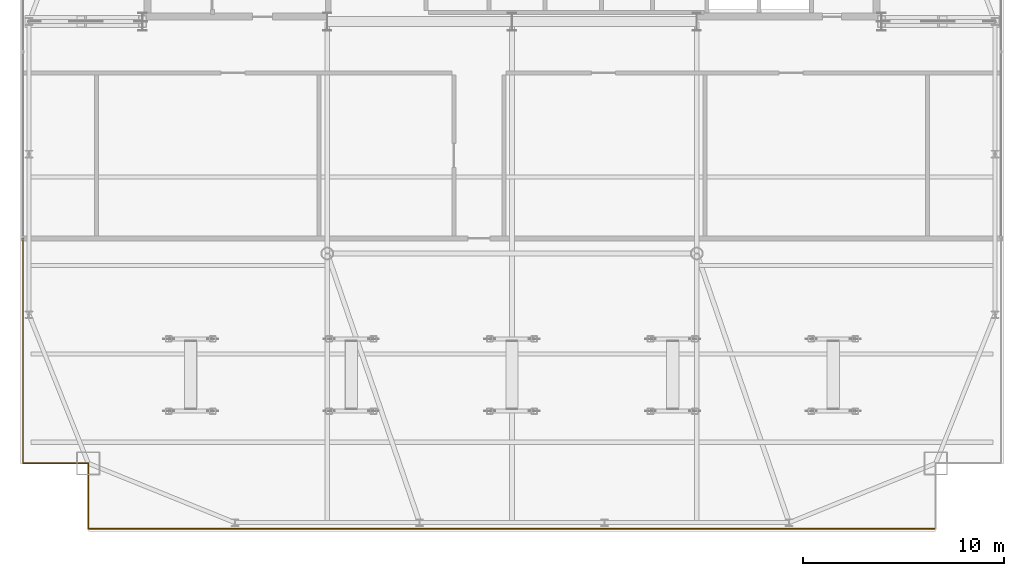
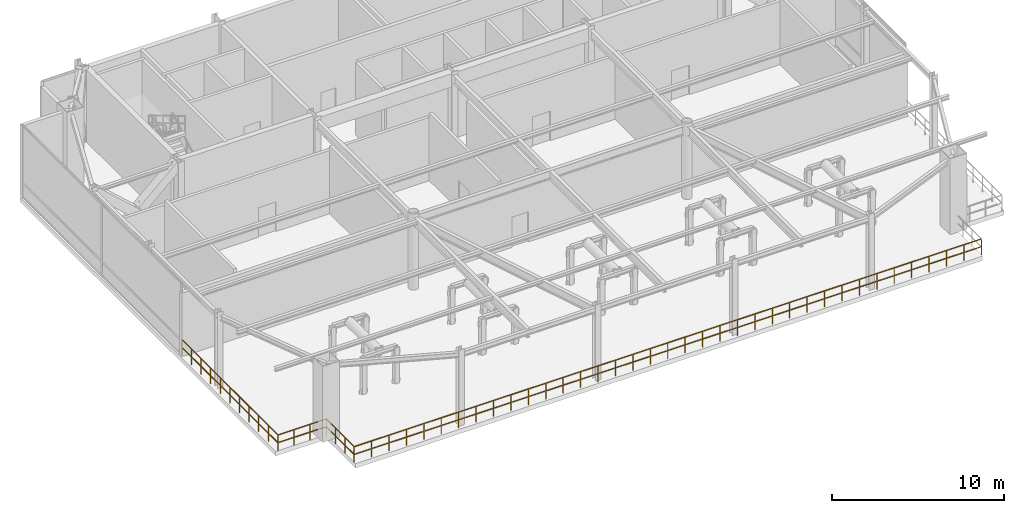
# One storey, part 20 of 21: 4 railings.
"""IFC4 building model written with IfcOpenShell, lengths in metres."""

from ifc_helpers import new_model, si_unit, direction, frame, origin, origin_2d, place, context, subcontext, project, spatial, rectangle, extrude, material, type_object, element, save


model = new_model("IFC4")

# Units and contexts
model_context = context("Model", 3, precision=1e-05, world=origin(), true_north=direction((0.0, 1.0)))
body_context = subcontext(model_context, "Body", "Model", "MODEL_VIEW")
ifc_project = project(units=[si_unit("LENGTHUNIT", "METRE"), si_unit("AREAUNIT", "SQUARE_METRE"), si_unit("VOLUMEUNIT", "CUBIC_METRE"), si_unit("PLANEANGLEUNIT", "RADIAN"), si_unit("MASSUNIT", "GRAM", prefix="KILO")], contexts=[model_context])

# Site, building, storey
site_placement = place(None, origin())
site = spatial("IfcSite", under=ifc_project, at=site_placement, CompositionType="ELEMENT")
building_placement = place(site_placement, origin())
building = spatial("IfcBuilding", under=site, at=building_placement, Name="Varnel Quay Broadcast Tower", CompositionType="ELEMENT")
storey_placement = place(building_placement, frame((0.0, 0.0, 234.0)))
storey = spatial("IfcBuildingStorey", under=building, at=storey_placement, Name="L58", CompositionType="ELEMENT", Elevation=234.0)

# Railings
ifc_material = material(Name="Anodised Bronze Aluminium 6063-T6", Category="aluminium")
railing_type = type_object("IfcRailingType", Name="Rail_Balustrade1150", PredefinedType="BALUSTRADE", material=ifc_material)
railing_1_placement = place(storey_placement, frame((9.64990234375, 24.800048828125, 0.0)))
element("IfcRailing", 1, at=railing_1_placement, inside=storey, type_object=railing_type, Name="L58 Wind-Turbine Slot Safety Guard Seg 1", PredefinedType="BALUSTRADE", context=body_context, shape_type="SweptSolid", body=[
    extrude(rectangle(XDim=0.048095703125, YDim=0.048095703125, at=origin_2d()), frame((0.0, 0.0, 1.1259765625), z_axis=(0.0, -1.0, 0.0), x_axis=(1.0, 0.0, 0.0)), (0.0, 0.0, 1.0), 11.199951171875),
    extrude(rectangle(XDim=0.048095703125, YDim=0.048095703125, at=origin_2d()), frame((0.0, 0.0, 0.574951171875), z_axis=(0.0, -1.0, 0.0), x_axis=(1.0, 0.0, 0.0)), (0.0, 0.0, 1.0), 11.199951171875),
    extrude(rectangle(XDim=0.0419921875, YDim=0.0419921875, at=origin_2d()), origin(), (0.0, 0.0, 1.0), 1.101806640625),
    extrude(rectangle(XDim=0.0419921875, YDim=0.0419921875, at=origin_2d()), frame((0.0, -1.1201171875, 0.0)), (0.0, 0.0, 1.0), 1.101806640625),
    extrude(rectangle(XDim=0.0419921875, YDim=0.0419921875, at=origin_2d()), frame((0.0, -2.239990234375, 0.0)), (0.0, 0.0, 1.0), 1.101806640625),
    extrude(rectangle(XDim=0.0419921875, YDim=0.0419921875, at=origin_2d()), frame((0.0, -3.35986328125, 0.0)), (0.0, 0.0, 1.0), 1.101806640625),
    extrude(rectangle(XDim=0.0419921875, YDim=0.0419921875, at=origin_2d()), frame((0.0, -4.47998046875, 0.0)), (0.0, 0.0, 1.0), 1.101806640625),
    extrude(rectangle(XDim=0.0419921875, YDim=0.0419921875, at=origin_2d()), frame((0.0, -5.60009765625, 0.0)), (0.0, 0.0, 1.0), 1.101806640625),
    extrude(rectangle(XDim=0.0419921875, YDim=0.0419921875, at=origin_2d()), frame((0.0, -6.719970703125, 0.0)), (0.0, 0.0, 1.0), 1.101806640625),
    extrude(rectangle(XDim=0.0419921875, YDim=0.0419921875, at=origin_2d()), frame((0.0, -7.83984375, 0.0)), (0.0, 0.0, 1.0), 1.101806640625),
    extrude(rectangle(XDim=0.0419921875, YDim=0.0419921875, at=origin_2d()), frame((0.0, -8.9599609375, 0.0)), (0.0, 0.0, 1.0), 1.101806640625),
    extrude(rectangle(XDim=0.0419921875, YDim=0.0419921875, at=origin_2d()), frame((0.0, -10.080078125, 0.0)), (0.0, 0.0, 1.0), 1.101806640625),
    extrude(rectangle(XDim=0.0419921875, YDim=0.0419921875, at=origin_2d()), frame((0.0, -11.199951171875, 0.0)), (0.0, 0.0, 1.0), 1.101806640625),
])
railing_2_placement = place(storey_placement, frame((9.64990234375, 13.60009765625, 0.0)))
element("IfcRailing", 2, at=railing_2_placement, inside=storey, type_object=railing_type, Name="L58 Wind-Turbine Slot Safety Guard Seg 2", PredefinedType="BALUSTRADE", context=body_context, shape_type="SweptSolid", body=[
    extrude(rectangle(XDim=0.048095703125, YDim=0.048095703125, at=origin_2d()), frame((0.0, 0.0, 1.1259765625), z_axis=(1.0, 0.0, 0.0), x_axis=(0.0, 1.0, 0.0)), (0.0, 0.0, 1.0), 3.25),
    extrude(rectangle(XDim=0.048095703125, YDim=0.048095703125, at=origin_2d()), frame((0.0, 0.0, 0.574951171875), z_axis=(1.0, 0.0, 0.0), x_axis=(0.0, 1.0, 0.0)), (0.0, 0.0, 1.0), 3.25),
    extrude(rectangle(XDim=0.0419921875, YDim=0.0419921875, at=origin_2d()), origin(), (0.0, 0.0, 1.0), 1.101806640625),
    extrude(rectangle(XDim=0.0419921875, YDim=0.0419921875, at=origin_2d()), frame((1.083251953125, 0.0, 0.0)), (0.0, 0.0, 1.0), 1.101806640625),
    extrude(rectangle(XDim=0.0419921875, YDim=0.0419921875, at=origin_2d()), frame((2.166748046875, 0.0, 0.0)), (0.0, 0.0, 1.0), 1.101806640625),
    extrude(rectangle(XDim=0.0419921875, YDim=0.0419921875, at=origin_2d()), frame((3.25, 0.0, 0.0)), (0.0, 0.0, 1.0), 1.101806640625),
])
railing_3_placement = place(storey_placement, frame((12.89990234375, 13.60009765625, 0.0)))
element("IfcRailing", 3, at=railing_3_placement, inside=storey, type_object=railing_type, Name="L58 Wind-Turbine Slot Safety Guard Seg 3", PredefinedType="BALUSTRADE", context=body_context, shape_type="SweptSolid", body=[
    extrude(rectangle(XDim=0.048095703125, YDim=0.048095703125, at=origin_2d()), frame((0.0, 0.0, 1.1259765625), z_axis=(0.0, -1.0, 0.0), x_axis=(1.0, 0.0, 0.0)), (0.0, 0.0, 1.0), 3.25),
    extrude(rectangle(XDim=0.048095703125, YDim=0.048095703125, at=origin_2d()), frame((0.0, 0.0, 0.574951171875), z_axis=(0.0, -1.0, 0.0), x_axis=(1.0, 0.0, 0.0)), (0.0, 0.0, 1.0), 3.25),
    extrude(rectangle(XDim=0.0419921875, YDim=0.0419921875, at=origin_2d()), origin(), (0.0, 0.0, 1.0), 1.101806640625),
    extrude(rectangle(XDim=0.0419921875, YDim=0.0419921875, at=origin_2d()), frame((0.0, -1.083251953125, 0.0)), (0.0, 0.0, 1.0), 1.101806640625),
    extrude(rectangle(XDim=0.0419921875, YDim=0.0419921875, at=origin_2d()), frame((0.0, -2.166748046875, 0.0)), (0.0, 0.0, 1.0), 1.101806640625),
    extrude(rectangle(XDim=0.0419921875, YDim=0.0419921875, at=origin_2d()), frame((0.0, -3.25, 0.0)), (0.0, 0.0, 1.0), 1.101806640625),
])
railing_4_placement = place(storey_placement, frame((12.89990234375, 10.35009765625, 0.0)))
element("IfcRailing", 4, at=railing_4_placement, inside=storey, type_object=railing_type, Name="L58 Wind-Turbine Slot Safety Guard Seg 4", PredefinedType="BALUSTRADE", context=body_context, shape_type="SweptSolid", body=[
    extrude(rectangle(XDim=0.048095703125, YDim=0.048095703125, at=origin_2d()), frame((0.0, 0.0, 1.1259765625), z_axis=(1.0, 0.0, 0.0), x_axis=(0.0, 1.0, 0.0)), (0.0, 0.0, 1.0), 42.2001953125),
    extrude(rectangle(XDim=0.048095703125, YDim=0.048095703125, at=origin_2d()), frame((0.0, 0.0, 0.574951171875), z_axis=(1.0, 0.0, 0.0), x_axis=(0.0, 1.0, 0.0)), (0.0, 0.0, 1.0), 42.2001953125),
    extrude(rectangle(XDim=0.0419921875, YDim=0.0419921875, at=origin_2d()), origin(), (0.0, 0.0, 1.0), 1.101806640625),
    extrude(rectangle(XDim=0.0419921875, YDim=0.0419921875, at=origin_2d()), frame((1.172119140625, 0.0, 0.0)), (0.0, 0.0, 1.0), 1.101806640625),
    extrude(rectangle(XDim=0.0419921875, YDim=0.0419921875, at=origin_2d()), frame((2.344482421875, 0.0, 0.0)), (0.0, 0.0, 1.0), 1.101806640625),
    extrude(rectangle(XDim=0.0419921875, YDim=0.0419921875, at=origin_2d()), frame((3.5166015625, 0.0, 0.0)), (0.0, 0.0, 1.0), 1.101806640625),
    extrude(rectangle(XDim=0.0419921875, YDim=0.0419921875, at=origin_2d()), frame((4.68896484375, 0.0, 0.0)), (0.0, 0.0, 1.0), 1.101806640625),
    extrude(rectangle(XDim=0.0419921875, YDim=0.0419921875, at=origin_2d()), frame((5.861083984375, 0.0, 0.0)), (0.0, 0.0, 1.0), 1.101806640625),
    extrude(rectangle(XDim=0.0419921875, YDim=0.0419921875, at=origin_2d()), frame((7.033447265625, 0.0, 0.0)), (0.0, 0.0, 1.0), 1.101806640625),
    extrude(rectangle(XDim=0.0419921875, YDim=0.0419921875, at=origin_2d()), frame((8.20556640625, 0.0, 0.0)), (0.0, 0.0, 1.0), 1.101806640625),
    extrude(rectangle(XDim=0.0419921875, YDim=0.0419921875, at=origin_2d()), frame((9.3779296875, 0.0, 0.0)), (0.0, 0.0, 1.0), 1.101806640625),
    extrude(rectangle(XDim=0.0419921875, YDim=0.0419921875, at=origin_2d()), frame((10.550048828125, 0.0, 0.0)), (0.0, 0.0, 1.0), 1.101806640625),
    extrude(rectangle(XDim=0.0419921875, YDim=0.0419921875, at=origin_2d()), frame((11.72216796875, 0.0, 0.0)), (0.0, 0.0, 1.0), 1.101806640625),
    extrude(rectangle(XDim=0.0419921875, YDim=0.0419921875, at=origin_2d()), frame((12.89453125, 0.0, 0.0)), (0.0, 0.0, 1.0), 1.101806640625),
    extrude(rectangle(XDim=0.0419921875, YDim=0.0419921875, at=origin_2d()), frame((14.066650390625, 0.0, 0.0)), (0.0, 0.0, 1.0), 1.101806640625),
    extrude(rectangle(XDim=0.0419921875, YDim=0.0419921875, at=origin_2d()), frame((15.239013671875, 0.0, 0.0)), (0.0, 0.0, 1.0), 1.101806640625),
    extrude(rectangle(XDim=0.0419921875, YDim=0.0419921875, at=origin_2d()), frame((16.4111328125, 0.0, 0.0)), (0.0, 0.0, 1.0), 1.101806640625),
    extrude(rectangle(XDim=0.0419921875, YDim=0.0419921875, at=origin_2d()), frame((17.58349609375, 0.0, 0.0)), (0.0, 0.0, 1.0), 1.101806640625),
    extrude(rectangle(XDim=0.0419921875, YDim=0.0419921875, at=origin_2d()), frame((18.755615234375, 0.0, 0.0)), (0.0, 0.0, 1.0), 1.101806640625),
    extrude(rectangle(XDim=0.0419921875, YDim=0.0419921875, at=origin_2d()), frame((19.927978515625, 0.0, 0.0)), (0.0, 0.0, 1.0), 1.101806640625),
    extrude(rectangle(XDim=0.0419921875, YDim=0.0419921875, at=origin_2d()), frame((21.10009765625, 0.0, 0.0)), (0.0, 0.0, 1.0), 1.101806640625),
    extrude(rectangle(XDim=0.0419921875, YDim=0.0419921875, at=origin_2d()), frame((22.272216796875, 0.0, 0.0)), (0.0, 0.0, 1.0), 1.101806640625),
    extrude(rectangle(XDim=0.0419921875, YDim=0.0419921875, at=origin_2d()), frame((23.444580078125, 0.0, 0.0)), (0.0, 0.0, 1.0), 1.101806640625),
    extrude(rectangle(XDim=0.0419921875, YDim=0.0419921875, at=origin_2d()), frame((24.61669921875, 0.0, 0.0)), (0.0, 0.0, 1.0), 1.101806640625),
    extrude(rectangle(XDim=0.0419921875, YDim=0.0419921875, at=origin_2d()), frame((25.7890625, 0.0, 0.0)), (0.0, 0.0, 1.0), 1.101806640625),
    extrude(rectangle(XDim=0.0419921875, YDim=0.0419921875, at=origin_2d()), frame((26.961181640625, 0.0, 0.0)), (0.0, 0.0, 1.0), 1.101806640625),
    extrude(rectangle(XDim=0.0419921875, YDim=0.0419921875, at=origin_2d()), frame((28.133544921875, 0.0, 0.0)), (0.0, 0.0, 1.0), 1.101806640625),
    extrude(rectangle(XDim=0.0419921875, YDim=0.0419921875, at=origin_2d()), frame((29.3056640625, 0.0, 0.0)), (0.0, 0.0, 1.0), 1.101806640625),
    extrude(rectangle(XDim=0.0419921875, YDim=0.0419921875, at=origin_2d()), frame((30.47802734375, 0.0, 0.0)), (0.0, 0.0, 1.0), 1.101806640625),
    extrude(rectangle(XDim=0.0419921875, YDim=0.0419921875, at=origin_2d()), frame((31.650146484375, 0.0, 0.0)), (0.0, 0.0, 1.0), 1.101806640625),
    extrude(rectangle(XDim=0.0419921875, YDim=0.0419921875, at=origin_2d()), frame((32.822265625, 0.0, 0.0)), (0.0, 0.0, 1.0), 1.101806640625),
    extrude(rectangle(XDim=0.0419921875, YDim=0.0419921875, at=origin_2d()), frame((33.99462890625, 0.0, 0.0)), (0.0, 0.0, 1.0), 1.101806640625),
    extrude(rectangle(XDim=0.0419921875, YDim=0.0419921875, at=origin_2d()), frame((35.166748046875, 0.0, 0.0)), (0.0, 0.0, 1.0), 1.101806640625),
    extrude(rectangle(XDim=0.0419921875, YDim=0.0419921875, at=origin_2d()), frame((36.339111328125, 0.0, 0.0)), (0.0, 0.0, 1.0), 1.101806640625),
    extrude(rectangle(XDim=0.0419921875, YDim=0.0419921875, at=origin_2d()), frame((37.51123046875, 0.0, 0.0)), (0.0, 0.0, 1.0), 1.101806640625),
    extrude(rectangle(XDim=0.0419921875, YDim=0.0419921875, at=origin_2d()), frame((38.68359375, 0.0, 0.0)), (0.0, 0.0, 1.0), 1.101806640625),
    extrude(rectangle(XDim=0.0419921875, YDim=0.0419921875, at=origin_2d()), frame((39.855712890625, 0.0, 0.0)), (0.0, 0.0, 1.0), 1.101806640625),
    extrude(rectangle(XDim=0.0419921875, YDim=0.0419921875, at=origin_2d()), frame((41.028076171875, 0.0, 0.0)), (0.0, 0.0, 1.0), 1.101806640625),
    extrude(rectangle(XDim=0.0419921875, YDim=0.0419921875, at=origin_2d()), frame((42.2001953125, 0.0, 0.0)), (0.0, 0.0, 1.0), 1.101806640625),
])

save(model, "model.ifc")
